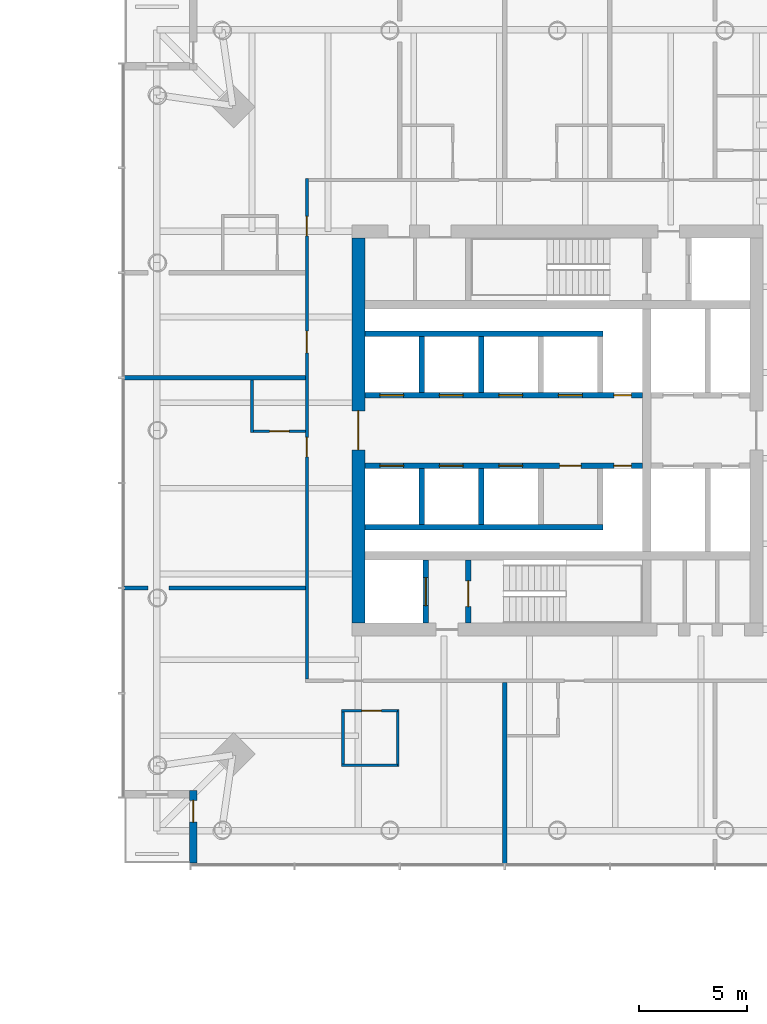
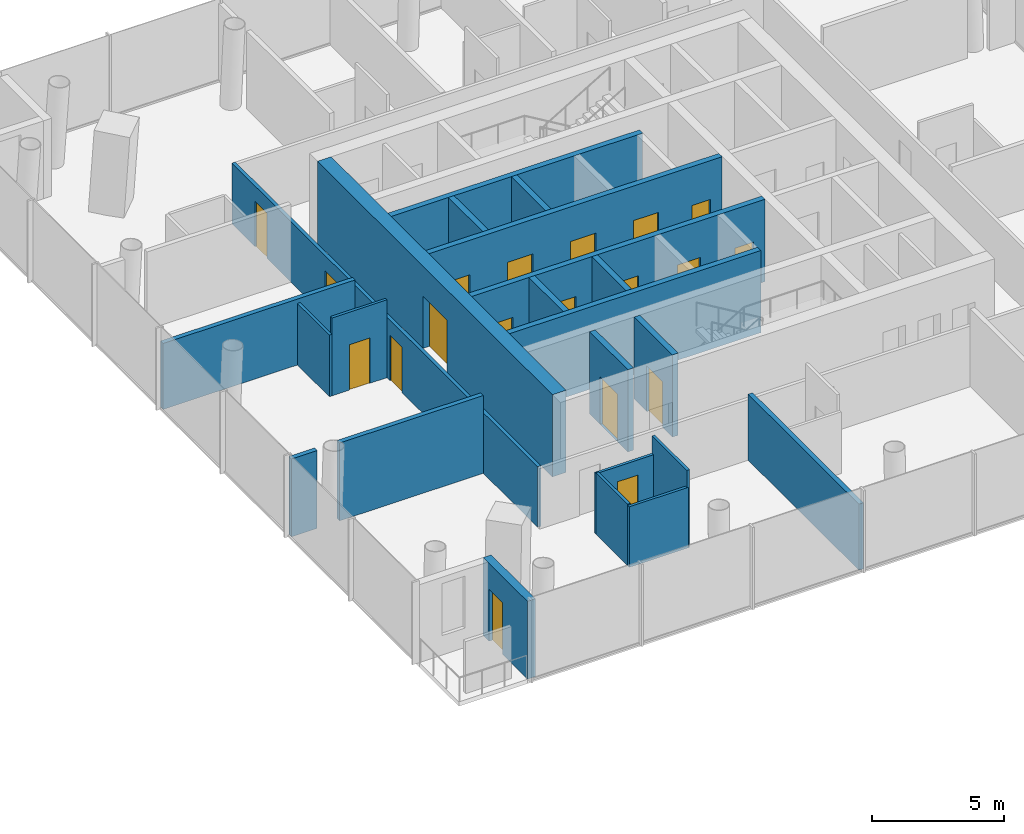
# One storey, part 14 of 21: 23 walls, 19 doors, 19 openings.
"""IFC4 building model written with IfcOpenShell, lengths in metres."""

import ifcopenshell
import ifcopenshell.guid

model = None  # the IFC model being written
_history = None  # IfcOwnerHistory: only IFC2X3 demands one
_inside = {}  # id of a spatial element -> (the spatial element, [elements in it])
_under = {}  # id of a project, library or spatial element -> (it, [spatial elements below it])
_declared = {}  # id of a project -> (the project, [libraries it declares])
_typed = {}  # id of a type object -> (the type object, [elements of that type])
_made_of = {}  # id of a material, layer set ... -> (it, [elements and type objects made of it])


def new_model(schema):
    """Start an empty IFC model of exactly this schema.

    Asked for "IFC4X3", IfcOpenShell would pick the latest addendum, in which some entities
    have other attributes; the version numbers below select the first issue.
    IFC2X3 requires an IfcOwnerHistory on every rooted entity: one is made here for all.
    """
    global model, _history
    if schema == "IFC4X3":
        model = ifcopenshell.file(schema_version=(4, 3, 0, 0))
    else:
        model = ifcopenshell.file(schema=schema)
    _inside.clear()
    _under.clear()
    _declared.clear()
    _typed.clear()
    _made_of.clear()
    _history = None
    if model.schema == "IFC2X3":
        org = make("IfcOrganization", Name="unknown")
        user = make(
            "IfcPersonAndOrganization",
            ThePerson=make("IfcPerson", FamilyName="unknown"),
            TheOrganization=org,
        )
        app = make(
            "IfcApplication",
            ApplicationDeveloper=org,
            Version="unknown",
            ApplicationFullName="unknown",
            ApplicationIdentifier="unknown",
        )
        _history = make(
            "IfcOwnerHistory",
            OwningUser=user,
            OwningApplication=app,
            ChangeAction="ADDED",
            CreationDate=0,
        )
    return model


def make(cls, **values):
    """One entity of the class cls with the attributes given. An attribute that is None is left unset."""
    return model.create_entity(
        cls, **{name: value for name, value in values.items() if value is not None}
    )


def rooted(cls, **values):
    """An entity with a GlobalId (a new one), such as an element, a storey or a relation."""
    return make(cls, GlobalId=ifcopenshell.guid.new(), OwnerHistory=_history, **values)


def si_unit(unit_type, name, prefix=None):
    """IfcSIUnit, for example si_unit("LENGTHUNIT", "METRE", prefix="MILLI")."""
    return make("IfcSIUnit", UnitType=unit_type, Prefix=prefix, Name=name)


def assignment(units):
    """IfcUnitAssignment: the units of a project."""
    return None if units is None else make("IfcUnitAssignment", Units=units)


def point(xyz):
    """IfcCartesianPoint."""
    return None if xyz is None else make("IfcCartesianPoint", Coordinates=xyz)


def direction(xyz):
    """IfcDirection."""
    return None if xyz is None else make("IfcDirection", DirectionRatios=xyz)


def frame(location, z_axis=None, x_axis=None):
    """IfcAxis2Placement3D, a coordinate frame: its origin and axes. An axis left out is left unset."""
    return make(
        "IfcAxis2Placement3D",
        Location=point(location),
        Axis=direction(z_axis),
        RefDirection=direction(x_axis),
    )


def frame_2d(location, x_axis=None):
    """IfcAxis2Placement2D, a coordinate frame in the plane: its origin and x axis."""
    return make(
        "IfcAxis2Placement2D", Location=point(location), RefDirection=direction(x_axis)
    )


def origin():
    """The frame at (0, 0, 0) with its axes left unset."""
    return frame((0.0, 0.0, 0.0))


def place(relative_to, where):
    """IfcLocalPlacement: puts the frame where relative to a parent placement (None: the world)."""
    return make(
        "IfcLocalPlacement", PlacementRelTo=relative_to, RelativePlacement=where
    )


def context(
    kind, dimensions, precision=None, world=None, true_north=None, identifier=None
):
    """IfcGeometricRepresentationContext, for example the 3D "Model" context."""
    return make(
        "IfcGeometricRepresentationContext",
        ContextIdentifier=identifier,
        ContextType=kind,
        CoordinateSpaceDimension=dimensions,
        Precision=precision,
        WorldCoordinateSystem=world,
        TrueNorth=true_north,
    )


def subcontext(parent, identifier, kind, view, scale=None):
    """IfcGeometricRepresentationSubContext, for example "Body" below "Model"."""
    return make(
        "IfcGeometricRepresentationSubContext",
        ContextIdentifier=identifier,
        ContextType=kind,
        ParentContext=parent,
        TargetScale=scale,
        TargetView=view,
    )


def project(units=None, contexts=None):
    """IfcProject with its units and contexts."""
    return rooted(
        "IfcProject",
        Name="project",
        RepresentationContexts=contexts,
        UnitsInContext=assignment(units),
    )


def spatial(cls, under=None, at=None, **own):
    """A site, building, storey or space (cls), placed at a placement, below another one or the project."""
    s = rooted(cls, ObjectPlacement=at, **own)
    if under is not None:
        _under.setdefault(under.id(), (under, []))[1].append(s)
    return s


def profile(cls, at=None, kind="AREA", **sizes):
    """A parametric profile (cls). Its sizes go by their IFC names, for example OverallWidth=200.0."""
    return make(cls, ProfileType=kind, Position=at, **sizes)


def rectangle(**sizes):
    """IfcRectangleProfileDef."""
    return profile("IfcRectangleProfileDef", **sizes)


def extrude(swept, where, along, depth):
    """IfcExtrudedAreaSolid: the profile swept, set in the frame where, extruded along a direction by depth."""
    return make(
        "IfcExtrudedAreaSolid",
        SweptArea=swept,
        Position=where,
        ExtrudedDirection=direction(along),
        Depth=depth,
    )


def shape(context_of_items, identifier, shape_type, items):
    """IfcShapeRepresentation: the items that make up one representation, for example the "Body"."""
    return make(
        "IfcShapeRepresentation",
        ContextOfItems=context_of_items,
        RepresentationIdentifier=identifier,
        RepresentationType=shape_type,
        Items=items,
    )


def material(Name=None, Category=None):
    """IfcMaterial."""
    return make("IfcMaterial", Name=Name, Category=Category)


def layer(
    of_material, thickness, ventilated=None, Name=None, Category=None, Priority=None
):
    """IfcMaterialLayer: one layer of a wall or slab, of a material (None: an air gap)."""
    return make(
        "IfcMaterialLayer",
        Material=of_material,
        LayerThickness=thickness,
        IsVentilated=ventilated,
        Name=Name,
        Category=Category,
        Priority=Priority,
    )


def layer_set(layers, Name=None):
    """IfcMaterialLayerSet."""
    return make("IfcMaterialLayerSet", MaterialLayers=layers, LayerSetName=Name)


def made_of(thing, what):
    """Note that an element or type object is made of a material, layer set ...; save() writes the relation."""
    if what is not None:
        _made_of.setdefault(what.id(), (what, []))[1].append(thing)
    return thing


def type_object(cls, material=None, **own):
    """A type object (cls), such as IfcWallType, which elements share."""
    return made_of(rooted(cls, **own), material)


def element(
    cls,
    number,
    at=None,
    inside=None,
    cuts=None,
    type_object=None,
    material=None,
    context=None,
    identifier="Body",
    shape_type=None,
    held_by="IfcProductDefinitionShape",
    body=None,
    shapes=None,
    **own,
):
    """One element of the class cls, such as IfcWall. Its Tag is "e" and its number.

    at: its placement. inside: the storey or other place that contains it. cuts: it is an
    opening in that element (IfcRelVoidsElement). A single representation is given by context,
    identifier, shape_type and body (its items); several are given by shapes. held_by: the class
    of the entity that holds the representations. save() writes the other relations.
    """
    e = rooted(cls, Tag="e%d" % number, ObjectPlacement=at, **own)
    if body is not None:
        shapes = [shape(context, identifier, shape_type, body)]
    if shapes is not None:
        e.Representation = make(held_by, Representations=shapes)
    if inside is not None:
        _inside.setdefault(inside.id(), (inside, []))[1].append(e)
    if cuts is not None:
        rooted(
            "IfcRelVoidsElement", RelatingBuildingElement=cuts, RelatedOpeningElement=e
        )
    if type_object is not None:
        _typed.setdefault(type_object.id(), (type_object, []))[1].append(e)
    return made_of(e, material)


def fill(opening, filler):
    """IfcRelFillsElement: the door or window that sits in an opening."""
    return rooted(
        "IfcRelFillsElement",
        RelatingOpeningElement=opening,
        RelatedBuildingElement=filler,
    )


def aggregate(whole, parts):
    """IfcRelAggregates: a whole, such as a stair, and the parts it consists of."""
    return rooted("IfcRelAggregates", RelatingObject=whole, RelatedObjects=parts)


def save(model, path):
    """Write the relations noted so far, then the file.

    IfcRelAggregates (storeys below a building ...), IfcRelContainedInSpatialStructure (elements
    in a storey), IfcRelDefinesByType, IfcRelAssociatesMaterial and IfcRelDeclares: one each for
    every whole, place, type object, material and project.
    """
    for whole, parts in _under.values():
        aggregate(whole, parts)
    for where, things in _inside.values():
        rooted(
            "IfcRelContainedInSpatialStructure",
            RelatedElements=things,
            RelatingStructure=where,
        )
    for kind, things in _typed.values():
        rooted("IfcRelDefinesByType", RelatedObjects=things, RelatingType=kind)
    for what, things in _made_of.values():
        rooted("IfcRelAssociatesMaterial", RelatedObjects=things, RelatingMaterial=what)
    for by, libraries in _declared.values():
        rooted("IfcRelDeclares", RelatingContext=by, RelatedDefinitions=libraries)
    model.write(path)


model = new_model("IFC4")

# Units and contexts
model_context = context("Model", 3, precision=1e-05, world=origin(), true_north=direction((0.0, 1.0)))
body_context = subcontext(model_context, "Body", "Model", "MODEL_VIEW")
ifc_project = project(units=[si_unit("LENGTHUNIT", "METRE"), si_unit("AREAUNIT", "SQUARE_METRE"), si_unit("VOLUMEUNIT", "CUBIC_METRE"), si_unit("PLANEANGLEUNIT", "RADIAN"), si_unit("MASSUNIT", "GRAM", prefix="KILO")], contexts=[model_context])

# Site, building, storey
site_placement = place(None, origin())
site = spatial("IfcSite", under=ifc_project, at=site_placement, CompositionType="ELEMENT")
building_placement = place(site_placement, origin())
building = spatial("IfcBuilding", under=site, at=building_placement, Name="Ostroluk Exchange", CompositionType="ELEMENT")
storey_placement = place(building_placement, frame((0.0, 0.0, 32.39990234375)))
storey = spatial("IfcBuildingStorey", under=building, at=storey_placement, Name="L07", CompositionType="ELEMENT", Elevation=32.39990234375)

# Wall, opening, door
ifc_material_1 = material(Name="Concrete C40/50", Category="concrete")
ifc_layer_1 = layer(ifc_material_1, 0.25)
ifc_layer_set_1 = layer_set([ifc_layer_1], Name="Core shaft wall 250")
wall_type_1 = type_object("IfcWallType", Name="Core shaft wall 250", PredefinedType="SHEAR", material=ifc_layer_set_1)
wall_1_placement = place(storey_placement, frame((110.925048828125, 37.10009765625, 0.0), z_axis=(0.0, 0.0, 1.0), x_axis=(0.0, 1.0, 0.0)))
wall_1 = element("IfcWall", 1, at=wall_1_placement, inside=storey, type_object=wall_type_1, Name="Firefighting lift shaft wall", PredefinedType="SHEAR", context=body_context, shape_type="SweptSolid", body=[
    extrude(rectangle(XDim=2.89990234375, YDim=0.25, at=frame_2d((1.449951171875, 0.0))), origin(), (0.0, 0.0, 1.0), 3.800048828125),
])
opening_1_placement = place(wall_1_placement, frame((0.800048828125, 0.0, 0.0)))
opening_1 = element("IfcOpeningElement", 2, at=opening_1_placement, cuts=wall_1, Name="Opening LD2", PredefinedType="OPENING", context=body_context, shape_type="SweptSolid", body=[
    extrude(rectangle(XDim=1.300048828125, YDim=2.199951171875, at=frame_2d((0.64990234375, 1.10009765625))), frame((0.0, 0.135009765625, 0.0), z_axis=(0.0, -1.0, 0.0), x_axis=(1.0, 0.0, 0.0)), (0.0, 0.0, 1.0), 0.27001953125),
])
ifc_material_2 = material(Name="Stainless steel", Category="steel")
door_type_1 = type_object("IfcDoorType", Name="Lift landing door E 60 1300 x 2200", OperationType="DOUBLE_DOOR_SLIDING", PredefinedType="DOOR", material=ifc_material_2)
door_1_placement = place(opening_1_placement, origin())
door_1 = element("IfcDoor", 3, at=door_1_placement, inside=storey, type_object=door_type_1, Name="Lift HF1 landing door", OperationType="DOUBLE_DOOR_SLIDING", OverallHeight=2.199951171875, OverallWidth=1.300048828125, PredefinedType="DOOR", context=body_context, shape_type="SweptSolid", body=[
    extrude(rectangle(XDim=1.300048828125, YDim=2.199951171875, at=frame_2d((0.64990234375, 1.10009765625))), frame((0.0, 0.02490234375, 0.0), z_axis=(0.0, -1.0, 0.0), x_axis=(1.0, 0.0, 0.0)), (0.0, 0.0, 1.0), 0.050048828125),
])
fill(opening_1, door_1)

wall_2_placement = place(storey_placement, frame((112.875, 37.10009765625, 0.0), z_axis=(0.0, 0.0, 1.0), x_axis=(0.0, 1.0, 0.0)))
wall_2 = element("IfcWall", 4, at=wall_2_placement, inside=storey, type_object=wall_type_1, Name="Stair shaft wall", PredefinedType="SHEAR", context=body_context, shape_type="SweptSolid", body=[
    extrude(rectangle(XDim=2.89990234375, YDim=0.25, at=frame_2d((1.449951171875, 0.0))), origin(), (0.0, 0.0, 1.0), 3.800048828125),
])
opening_2_placement = place(wall_2_placement, frame((0.75, 0.0, 0.0)))
opening_2 = element("IfcOpeningElement", 5, at=opening_2_placement, cuts=wall_2, Name="Opening FD60S", PredefinedType="OPENING", context=body_context, shape_type="SweptSolid", body=[
    extrude(rectangle(XDim=1.199951171875, YDim=2.10009765625, at=frame_2d((0.60009765625, 1.050048828125))), frame((0.0, 0.135009765625, 0.0), z_axis=(0.0, -1.0, 0.0), x_axis=(1.0, 0.0, 0.0)), (0.0, 0.0, 1.0), 0.27001953125),
])
ifc_material_3 = material(Name="Steel", Category="steel")
door_type_2 = type_object("IfcDoorType", Name="Stair door EI 60 1200 x 2100", OperationType="SINGLE_SWING_LEFT", PredefinedType="DOOR", material=ifc_material_3)
door_2_placement = place(opening_2_placement, origin())
door_2 = element("IfcDoor", 6, at=door_2_placement, inside=storey, type_object=door_type_2, Name="Stair T2-S1 door", OperationType="SINGLE_SWING_LEFT", OverallHeight=2.10009765625, OverallWidth=1.199951171875, PredefinedType="DOOR", context=body_context, shape_type="SweptSolid", body=[
    extrude(rectangle(XDim=1.199951171875, YDim=2.10009765625, at=frame_2d((0.60009765625, 1.050048828125))), frame((0.0, 0.02490234375, 0.0), z_axis=(0.0, -1.0, 0.0), x_axis=(1.0, 0.0, 0.0)), (0.0, 0.0, 1.0), 0.050048828125),
])
fill(opening_2, door_2)

# Walls
for number, where, z_axis, x_axis, name in (
    (7, (110.72509765625, 47.75, 0.0), (0.0, 0.0, 1.0), (0.0, 1.0, 0.0), "Lift shaft wall"),
    (8, (113.47509765625, 47.75, 0.0), (0.0, 0.0, 1.0), (0.0, 1.0, 0.0), "Lift shaft wall"),
):
    element("IfcWall", number, at=place(storey_placement, frame(where, z_axis=z_axis, x_axis=x_axis)), inside=storey, type_object=wall_type_1, Name=name, PredefinedType="SHEAR", context=body_context, shape_type="SweptSolid", body=[
        extrude(rectangle(XDim=2.60009765625, YDim=0.25, at=frame_2d((1.300048828125, 0.0))), origin(), (0.0, 0.0, 1.0), 3.800048828125),
    ])
wall_3_placement = place(storey_placement, frame((108.10009765625, 50.47509765625, 0.0), z_axis=(0.0, 0.0, 1.0), x_axis=(1.0, 0.0, 0.0)))
element("IfcWall", 9, at=wall_3_placement, inside=storey, type_object=wall_type_1, Name="Lift shaft wall", PredefinedType="SHEAR", context=body_context, shape_type="SweptSolid", body=[
    extrude(rectangle(XDim=11.0, YDim=0.25, at=frame_2d((5.5, 0.0))), origin(), (0.0, 0.0, 1.0), 3.800048828125),
])

# Wall, openings, doors
wall_4_placement = place(storey_placement, frame((108.10009765625, 47.625, 0.0), z_axis=(0.0, 0.0, 1.0), x_axis=(1.0, 0.0, 0.0)))
wall_4 = element("IfcWall", 10, at=wall_4_placement, inside=storey, type_object=wall_type_1, Name="Lift shaft front wall", PredefinedType="SHEAR", context=body_context, shape_type="SweptSolid", body=[
    extrude(rectangle(XDim=12.829833984375, YDim=0.25, at=frame_2d((6.4150390625, 0.0))), origin(), (0.0, 0.0, 1.0), 3.800048828125),
])
opening_3_placement = place(wall_4_placement, frame((0.699951171875, 0.0, 0.0)))
opening_3 = element("IfcOpeningElement", 11, at=opening_3_placement, cuts=wall_4, Name="Opening LD", PredefinedType="OPENING", context=body_context, shape_type="SweptSolid", body=[
    extrude(rectangle(XDim=1.10009765625, YDim=2.199951171875, at=frame_2d((0.550048828125, 1.10009765625))), frame((0.0, 0.135009765625, 0.0), z_axis=(0.0, -1.0, 0.0), x_axis=(1.0, 0.0, 0.0)), (0.0, 0.0, 1.0), 0.27001953125),
])
opening_4_placement = place(wall_4_placement, frame((3.449951171875, 0.0, 0.0)))
opening_4 = element("IfcOpeningElement", 12, at=opening_4_placement, cuts=wall_4, Name="Opening LD", PredefinedType="OPENING", context=body_context, shape_type="SweptSolid", body=[
    extrude(rectangle(XDim=1.10009765625, YDim=2.199951171875, at=frame_2d((0.550048828125, 1.10009765625))), frame((0.0, 0.135009765625, 0.0), z_axis=(0.0, -1.0, 0.0), x_axis=(1.0, 0.0, 0.0)), (0.0, 0.0, 1.0), 0.27001953125),
])
opening_5_placement = place(wall_4_placement, frame((6.199951171875, 0.0, 0.0)))
opening_5 = element("IfcOpeningElement", 13, at=opening_5_placement, cuts=wall_4, Name="Opening LD", PredefinedType="OPENING", context=body_context, shape_type="SweptSolid", body=[
    extrude(rectangle(XDim=1.10009765625, YDim=2.199951171875, at=frame_2d((0.550048828125, 1.10009765625))), frame((0.0, 0.135009765625, 0.0), z_axis=(0.0, -1.0, 0.0), x_axis=(1.0, 0.0, 0.0)), (0.0, 0.0, 1.0), 0.27001953125),
])
opening_6_placement = place(wall_4_placement, frame((8.949951171875, 0.0, 0.0)))
opening_6 = element("IfcOpeningElement", 14, at=opening_6_placement, cuts=wall_4, Name="Opening LD", PredefinedType="OPENING", context=body_context, shape_type="SweptSolid", body=[
    extrude(rectangle(XDim=1.10009765625, YDim=2.199951171875, at=frame_2d((0.550048828125, 1.10009765625))), frame((0.0, 0.135009765625, 0.0), z_axis=(0.0, -1.0, 0.0), x_axis=(1.0, 0.0, 0.0)), (0.0, 0.0, 1.0), 0.27001953125),
])
opening_7_placement = place(wall_4_placement, frame((11.514892578125, 0.0, 0.0)))
opening_7 = element("IfcOpeningElement", 15, at=opening_7_placement, cuts=wall_4, Name="Opening RD60", PredefinedType="OPENING", context=body_context, shape_type="SweptSolid", body=[
    extrude(rectangle(XDim=0.800048828125, YDim=2.0, at=frame_2d((0.39990234375, 1.0))), frame((0.0, 0.135009765625, 0.0), z_axis=(0.0, -1.0, 0.0), x_axis=(1.0, 0.0, 0.0)), (0.0, 0.0, 1.0), 0.27001953125),
])
ifc_material_4 = material(Name="Stainless steel", Category="steel")
door_type_3 = type_object("IfcDoorType", Name="Lift landing door E 60 1100 x 2200", OperationType="DOUBLE_DOOR_SLIDING", PredefinedType="DOOR", material=ifc_material_4)
door_3_placement = place(opening_3_placement, origin())
door_3 = element("IfcDoor", 16, at=door_3_placement, inside=storey, type_object=door_type_3, Name="Lift HL1 landing door", OperationType="DOUBLE_DOOR_SLIDING", OverallHeight=2.199951171875, OverallWidth=1.10009765625, PredefinedType="DOOR", context=body_context, shape_type="SweptSolid", body=[
    extrude(rectangle(XDim=1.10009765625, YDim=2.199951171875, at=frame_2d((0.550048828125, 1.10009765625))), frame((0.0, 0.02490234375, 0.0), z_axis=(0.0, -1.0, 0.0), x_axis=(1.0, 0.0, 0.0)), (0.0, 0.0, 1.0), 0.050048828125),
])
fill(opening_3, door_3)
door_4_placement = place(opening_4_placement, origin())
door_4 = element("IfcDoor", 17, at=door_4_placement, inside=storey, type_object=door_type_3, Name="Lift HL2 landing door", OperationType="DOUBLE_DOOR_SLIDING", OverallHeight=2.199951171875, OverallWidth=1.10009765625, PredefinedType="DOOR", context=body_context, shape_type="SweptSolid", body=[
    extrude(rectangle(XDim=1.10009765625, YDim=2.199951171875, at=frame_2d((0.550048828125, 1.10009765625))), frame((0.0, 0.02490234375, 0.0), z_axis=(0.0, -1.0, 0.0), x_axis=(1.0, 0.0, 0.0)), (0.0, 0.0, 1.0), 0.050048828125),
])
fill(opening_4, door_4)
door_5_placement = place(opening_5_placement, origin())
door_5 = element("IfcDoor", 18, at=door_5_placement, inside=storey, type_object=door_type_3, Name="Lift HL3 landing door", OperationType="DOUBLE_DOOR_SLIDING", OverallHeight=2.199951171875, OverallWidth=1.10009765625, PredefinedType="DOOR", context=body_context, shape_type="SweptSolid", body=[
    extrude(rectangle(XDim=1.10009765625, YDim=2.199951171875, at=frame_2d((0.550048828125, 1.10009765625))), frame((0.0, 0.02490234375, 0.0), z_axis=(0.0, -1.0, 0.0), x_axis=(1.0, 0.0, 0.0)), (0.0, 0.0, 1.0), 0.050048828125),
])
fill(opening_5, door_5)
door_6_placement = place(opening_6_placement, origin())
door_6 = element("IfcDoor", 19, at=door_6_placement, inside=storey, type_object=door_type_3, Name="Lift HL4 landing door", OperationType="DOUBLE_DOOR_SLIDING", OverallHeight=2.199951171875, OverallWidth=1.10009765625, PredefinedType="DOOR", context=body_context, shape_type="SweptSolid", body=[
    extrude(rectangle(XDim=1.10009765625, YDim=2.199951171875, at=frame_2d((0.550048828125, 1.10009765625))), frame((0.0, 0.02490234375, 0.0), z_axis=(0.0, -1.0, 0.0), x_axis=(1.0, 0.0, 0.0)), (0.0, 0.0, 1.0), 0.050048828125),
])
fill(opening_6, door_6)
ifc_material_5 = material(Name="Steel", Category="steel")
door_type_4 = type_object("IfcDoorType", Name="Riser access door EI 60 800 x 2000", OperationType="SINGLE_SWING_LEFT", PredefinedType="DOOR", material=ifc_material_5)
door_7_placement = place(opening_7_placement, origin())
door_7 = element("IfcDoor", 20, at=door_7_placement, inside=storey, type_object=door_type_4, Name="Riser access door", OperationType="SINGLE_SWING_RIGHT", OverallHeight=2.0, OverallWidth=0.800048828125, PredefinedType="DOOR", context=body_context, shape_type="SweptSolid", body=[
    extrude(rectangle(XDim=0.800048828125, YDim=2.0, at=frame_2d((0.39990234375, 1.0))), frame((0.0, 0.02490234375, 0.0), z_axis=(0.0, -1.0, 0.0), x_axis=(1.0, 0.0, 0.0)), (0.0, 0.0, 1.0), 0.050048828125),
])
fill(opening_7, door_7)

# Walls
for number, where, z_axis, x_axis, name in (
    (21, (110.72509765625, 44.25, 0.0), (0.0, 0.0, 1.0), (0.0, -1.0, 0.0), "Lift shaft wall"),
    (22, (113.47509765625, 44.25, 0.0), (0.0, 0.0, 1.0), (0.0, -1.0, 0.0), "Lift shaft wall"),
):
    element("IfcWall", number, at=place(storey_placement, frame(where, z_axis=z_axis, x_axis=x_axis)), inside=storey, type_object=wall_type_1, Name=name, PredefinedType="SHEAR", context=body_context, shape_type="SweptSolid", body=[
        extrude(rectangle(XDim=2.60009765625, YDim=0.25, at=frame_2d((1.300048828125, 0.0))), origin(), (0.0, 0.0, 1.0), 3.800048828125),
    ])
wall_5_placement = place(storey_placement, frame((108.10009765625, 41.52490234375, 0.0), z_axis=(0.0, 0.0, 1.0), x_axis=(1.0, 0.0, 0.0)))
element("IfcWall", 23, at=wall_5_placement, inside=storey, type_object=wall_type_1, Name="Lift shaft wall", PredefinedType="SHEAR", context=body_context, shape_type="SweptSolid", body=[
    extrude(rectangle(XDim=11.0, YDim=0.25, at=frame_2d((5.5, 0.0))), origin(), (0.0, 0.0, 1.0), 3.800048828125),
])

# Wall, openings, doors
wall_6_placement = place(storey_placement, frame((108.10009765625, 44.375, 0.0), z_axis=(0.0, 0.0, 1.0), x_axis=(1.0, 0.0, 0.0)))
wall_6 = element("IfcWall", 24, at=wall_6_placement, inside=storey, type_object=wall_type_1, Name="Lift shaft front wall", PredefinedType="SHEAR", context=body_context, shape_type="SweptSolid", body=[
    extrude(rectangle(XDim=12.829833984375, YDim=0.25, at=frame_2d((6.4150390625, 0.0))), origin(), (0.0, 0.0, 1.0), 3.800048828125),
])
opening_8_placement = place(wall_6_placement, frame((0.699951171875, 0.0, 0.0)))
opening_8 = element("IfcOpeningElement", 25, at=opening_8_placement, cuts=wall_6, Name="Opening LD", PredefinedType="OPENING", context=body_context, shape_type="SweptSolid", body=[
    extrude(rectangle(XDim=1.10009765625, YDim=2.199951171875, at=frame_2d((0.550048828125, 1.10009765625))), frame((0.0, 0.135009765625, 0.0), z_axis=(0.0, -1.0, 0.0), x_axis=(1.0, 0.0, 0.0)), (0.0, 0.0, 1.0), 0.27001953125),
])
opening_9_placement = place(wall_6_placement, frame((3.449951171875, 0.0, 0.0)))
opening_9 = element("IfcOpeningElement", 26, at=opening_9_placement, cuts=wall_6, Name="Opening LD", PredefinedType="OPENING", context=body_context, shape_type="SweptSolid", body=[
    extrude(rectangle(XDim=1.10009765625, YDim=2.199951171875, at=frame_2d((0.550048828125, 1.10009765625))), frame((0.0, 0.135009765625, 0.0), z_axis=(0.0, -1.0, 0.0), x_axis=(1.0, 0.0, 0.0)), (0.0, 0.0, 1.0), 0.27001953125),
])
opening_10_placement = place(wall_6_placement, frame((6.199951171875, 0.0, 0.0)))
opening_10 = element("IfcOpeningElement", 27, at=opening_10_placement, cuts=wall_6, Name="Opening LD", PredefinedType="OPENING", context=body_context, shape_type="SweptSolid", body=[
    extrude(rectangle(XDim=1.10009765625, YDim=2.199951171875, at=frame_2d((0.550048828125, 1.10009765625))), frame((0.0, 0.135009765625, 0.0), z_axis=(0.0, -1.0, 0.0), x_axis=(1.0, 0.0, 0.0)), (0.0, 0.0, 1.0), 0.27001953125),
])
opening_11_placement = place(wall_6_placement, frame((9.0, 0.0, 0.0)))
opening_11 = element("IfcOpeningElement", 28, at=opening_11_placement, cuts=wall_6, Name="Opening FD60", PredefinedType="OPENING", context=body_context, shape_type="SweptSolid", body=[
    extrude(rectangle(XDim=1.0, YDim=2.10009765625, at=frame_2d((0.5, 1.050048828125))), frame((0.0, 0.135009765625, 0.0), z_axis=(0.0, -1.0, 0.0), x_axis=(1.0, 0.0, 0.0)), (0.0, 0.0, 1.0), 0.27001953125),
])
opening_12_placement = place(wall_6_placement, frame((11.514892578125, 0.0, 0.0)))
opening_12 = element("IfcOpeningElement", 29, at=opening_12_placement, cuts=wall_6, Name="Opening RD60", PredefinedType="OPENING", context=body_context, shape_type="SweptSolid", body=[
    extrude(rectangle(XDim=0.800048828125, YDim=2.0, at=frame_2d((0.39990234375, 1.0))), frame((0.0, 0.135009765625, 0.0), z_axis=(0.0, -1.0, 0.0), x_axis=(1.0, 0.0, 0.0)), (0.0, 0.0, 1.0), 0.27001953125),
])
ifc_material_6 = material(Name="Steel", Category="steel")
door_type_5 = type_object("IfcDoorType", Name="Fire door EI 60 1000 x 2100", OperationType="SINGLE_SWING_LEFT", PredefinedType="DOOR", material=ifc_material_6)
door_8_placement = place(opening_11_placement, origin())
door_8 = element("IfcDoor", 30, at=door_8_placement, inside=storey, type_object=door_type_5, Name="Core room door", OperationType="SINGLE_SWING_RIGHT", OverallHeight=2.10009765625, OverallWidth=1.0, PredefinedType="DOOR", context=body_context, shape_type="SweptSolid", body=[
    extrude(rectangle(XDim=1.0, YDim=2.10009765625, at=frame_2d((0.5, 1.050048828125))), frame((0.0, 0.02490234375, 0.0), z_axis=(0.0, -1.0, 0.0), x_axis=(1.0, 0.0, 0.0)), (0.0, 0.0, 1.0), 0.050048828125),
])
fill(opening_11, door_8)
door_9_placement = place(opening_8_placement, origin())
door_9 = element("IfcDoor", 31, at=door_9_placement, inside=storey, type_object=door_type_3, Name="Lift HL5 landing door", OperationType="DOUBLE_DOOR_SLIDING", OverallHeight=2.199951171875, OverallWidth=1.10009765625, PredefinedType="DOOR", context=body_context, shape_type="SweptSolid", body=[
    extrude(rectangle(XDim=1.10009765625, YDim=2.199951171875, at=frame_2d((0.550048828125, 1.10009765625))), frame((0.0, 0.02490234375, 0.0), z_axis=(0.0, -1.0, 0.0), x_axis=(1.0, 0.0, 0.0)), (0.0, 0.0, 1.0), 0.050048828125),
])
fill(opening_8, door_9)
door_10_placement = place(opening_9_placement, origin())
door_10 = element("IfcDoor", 32, at=door_10_placement, inside=storey, type_object=door_type_3, Name="Lift HL6 landing door", OperationType="DOUBLE_DOOR_SLIDING", OverallHeight=2.199951171875, OverallWidth=1.10009765625, PredefinedType="DOOR", context=body_context, shape_type="SweptSolid", body=[
    extrude(rectangle(XDim=1.10009765625, YDim=2.199951171875, at=frame_2d((0.550048828125, 1.10009765625))), frame((0.0, 0.02490234375, 0.0), z_axis=(0.0, -1.0, 0.0), x_axis=(1.0, 0.0, 0.0)), (0.0, 0.0, 1.0), 0.050048828125),
])
fill(opening_9, door_10)
door_11_placement = place(opening_10_placement, origin())
door_11 = element("IfcDoor", 33, at=door_11_placement, inside=storey, type_object=door_type_3, Name="Lift HL7 landing door", OperationType="DOUBLE_DOOR_SLIDING", OverallHeight=2.199951171875, OverallWidth=1.10009765625, PredefinedType="DOOR", context=body_context, shape_type="SweptSolid", body=[
    extrude(rectangle(XDim=1.10009765625, YDim=2.199951171875, at=frame_2d((0.550048828125, 1.10009765625))), frame((0.0, 0.02490234375, 0.0), z_axis=(0.0, -1.0, 0.0), x_axis=(1.0, 0.0, 0.0)), (0.0, 0.0, 1.0), 0.050048828125),
])
fill(opening_10, door_11)
door_12_placement = place(opening_12_placement, origin())
door_12 = element("IfcDoor", 34, at=door_12_placement, inside=storey, type_object=door_type_4, Name="Riser access door", OperationType="SINGLE_SWING_RIGHT", OverallHeight=2.0, OverallWidth=0.800048828125, PredefinedType="DOOR", context=body_context, shape_type="SweptSolid", body=[
    extrude(rectangle(XDim=0.800048828125, YDim=2.0, at=frame_2d((0.39990234375, 1.0))), frame((0.0, 0.02490234375, 0.0), z_axis=(0.0, -1.0, 0.0), x_axis=(1.0, 0.0, 0.0)), (0.0, 0.0, 1.0), 0.050048828125),
])
fill(opening_12, door_12)

# Wall, opening, door
ifc_material_7 = material(Name="Concrete C50/60", Category="concrete")
ifc_layer_2 = layer(ifc_material_7, 0.60009765625)
ifc_layer_set_2 = layer_set([ifc_layer_2], Name="Core wall 600 C50/60")
wall_type_2 = type_object("IfcWallType", Name="Core wall 600 C50/60", PredefinedType="SHEAR", material=ifc_layer_set_2)
wall_7_placement = place(storey_placement, frame((107.800048828125, 37.10009765625, 0.0), z_axis=(0.0, 0.0, 1.0), x_axis=(0.0, 1.0, 0.0)))
wall_7 = element("IfcWall", 35, at=wall_7_placement, inside=storey, type_object=wall_type_2, Name="T2 core wall W", PredefinedType="SHEAR", context=body_context, shape_type="SweptSolid", body=[
    extrude(rectangle(XDim=17.7998046875, YDim=0.60009765625, at=frame_2d((8.89990234375, 0.0))), origin(), (0.0, 0.0, 1.0), 3.800048828125),
])
opening_13_placement = place(wall_7_placement, frame((8.0, 0.0, 0.0)))
opening_13 = element("IfcOpeningElement", 36, at=opening_13_placement, cuts=wall_7, Name="Opening FD30D", PredefinedType="OPENING", context=body_context, shape_type="SweptSolid", body=[
    extrude(rectangle(XDim=1.800048828125, YDim=2.39990234375, at=frame_2d((0.89990234375, 1.199951171875))), frame((0.0, 0.31005859375, 0.0), z_axis=(0.0, -1.0, 0.0), x_axis=(1.0, 0.0, 0.0)), (0.0, 0.0, 1.0), 0.6201171875),
])
ifc_material_8 = material(Name="Timber", Category="wood")
door_type_6 = type_object("IfcDoorType", Name="Lobby double door EI 30 1800 x 2400", OperationType="DOUBLE_DOOR_SINGLE_SWING", PredefinedType="DOOR", material=ifc_material_8)
door_13_placement = place(opening_13_placement, origin())
door_13 = element("IfcDoor", 37, at=door_13_placement, inside=storey, type_object=door_type_6, Name="Lift lobby doors", OperationType="DOUBLE_DOOR_SINGLE_SWING", OverallHeight=2.39990234375, OverallWidth=1.800048828125, PredefinedType="DOOR", context=body_context, shape_type="SweptSolid", body=[
    extrude(rectangle(XDim=1.800048828125, YDim=2.39990234375, at=frame_2d((0.89990234375, 1.199951171875))), frame((0.0, 0.02490234375, 0.0), z_axis=(0.0, -1.0, 0.0), x_axis=(1.0, 0.0, 0.0)), (0.0, 0.0, 1.0), 0.050048828125),
])
fill(opening_13, door_13)

ifc_material_9 = material(Name="Limestone", Category="masonry")
ifc_layer_3 = layer(ifc_material_9, 0.35009765625)
ifc_layer_set_3 = layer_set([ifc_layer_3], Name="Limestone facade wall 350")
wall_type_3 = type_object("IfcWallType", Name="Limestone facade wall 350", PredefinedType="SOLIDWALL", material=ifc_layer_set_3)
wall_8_placement = place(storey_placement, frame((100.175048828125, 26.0, 0.0), z_axis=(0.0, 0.0, 1.0), x_axis=(0.0, 1.0, 0.0)))
wall_8 = element("IfcWall", 38, at=wall_8_placement, inside=storey, type_object=wall_type_3, Name="Hotel tower SW corner wall L07 a", PredefinedType="SOLIDWALL", context=body_context, shape_type="SweptSolid", body=[
    extrude(rectangle(XDim=3.35009765625, YDim=0.35009765625, at=frame_2d((1.675048828125, 0.0))), origin(), (0.0, 0.0, 1.0), 3.60009765625),
])
opening_14_placement = place(wall_8_placement, frame((1.89990234375, 0.0, 0.0)))
opening_14 = element("IfcOpeningElement", 39, at=opening_14_placement, cuts=wall_8, Name="Opening D-B1", PredefinedType="OPENING", context=body_context, shape_type="SweptSolid", body=[
    extrude(rectangle(XDim=1.0, YDim=2.39990234375, at=frame_2d((0.5, 1.199951171875))), frame((0.0, 0.18505859375, 0.0), z_axis=(0.0, -1.0, 0.0), x_axis=(1.0, 0.0, 0.0)), (0.0, 0.0, 1.0), 0.3701171875),
])
ifc_material_10 = material(Name="Bronze framed glazed door", Category="aluminium")
door_type_7 = type_object("IfcDoorType", Name="Balcony door 1000 x 2400", OperationType="SINGLE_SWING_LEFT", PredefinedType="DOOR", material=ifc_material_10)
door_14_placement = place(opening_14_placement, origin())
door_14 = element("IfcDoor", 40, at=door_14_placement, inside=storey, type_object=door_type_7, Name="Hotel tower SW balcony door L07", OperationType="SINGLE_SWING_RIGHT", OverallHeight=2.39990234375, OverallWidth=1.0, PredefinedType="DOOR", context=body_context, shape_type="SweptSolid", body=[
    extrude(rectangle(XDim=1.0, YDim=2.39990234375, at=frame_2d((0.5, 1.199951171875))), frame((0.0, 0.02490234375, 0.0), z_axis=(0.0, -1.0, 0.0), x_axis=(1.0, 0.0, 0.0)), (0.0, 0.0, 1.0), 0.050048828125),
])
fill(opening_14, door_14)

# Wall
ifc_material_11 = material(Name="Gypsum plasterboard partition, moisture resistant", Category="gypsum")
ifc_layer_4 = layer(ifc_material_11, 0.1201171875)
ifc_layer_set_4 = layer_set([ifc_layer_4], Name="Plasterboard en-suite wall 120")
wall_type_4 = type_object("IfcWallType", Name="Plasterboard en-suite wall 120", PredefinedType="PARTITIONING", material=ifc_layer_set_4)
wall_9_placement = place(storey_placement, frame((102.889892578125, 48.32861328125, 0.0), z_axis=(0.0, 0.0, 1.0), x_axis=(0.0, -1.0, 0.0)))
element("IfcWall", 41, at=wall_9_placement, inside=storey, type_object=wall_type_4, Name="En-suite wall", PredefinedType="PARTITIONING", context=body_context, shape_type="SweptSolid", body=[
    extrude(rectangle(XDim=2.419921875, YDim=0.1201171875, at=frame_2d((1.2099609375, 0.0))), origin(), (0.0, 0.0, 1.0), 2.84716796875),
])

# Wall, opening, door
wall_10_placement = place(storey_placement, frame((105.35009765625, 45.968505859375, 0.0), z_axis=(0.0, 0.0, 1.0), x_axis=(-1.0, 0.0, 0.0)))
wall_10 = element("IfcWall", 42, at=wall_10_placement, inside=storey, type_object=wall_type_4, Name="En-suite wall", PredefinedType="PARTITIONING", context=body_context, shape_type="SweptSolid", body=[
    extrude(rectangle(XDim=2.400146484375, YDim=0.1201171875, at=frame_2d((1.2001953125, 0.0))), origin(), (0.0, 0.0, 1.0), 3.60009765625),
])
opening_15_placement = place(wall_10_placement, frame((0.75, 0.0, 0.0)))
opening_15 = element("IfcOpeningElement", 43, at=opening_15_placement, cuts=wall_10, Name="Opening D-02", PredefinedType="OPENING", context=body_context, shape_type="SweptSolid", body=[
    extrude(rectangle(XDim=0.89990234375, YDim=2.10009765625, at=frame_2d((0.449951171875, 1.050048828125))), frame((0.0, 0.070068359375, 0.0), z_axis=(0.0, -1.0, 0.0), x_axis=(1.0, 0.0, 0.0)), (0.0, 0.0, 1.0), 0.14013671875),
])
ifc_material_12 = material(Name="Timber", Category="wood")
door_type_8 = type_object("IfcDoorType", Name="En-suite door 900 x 2100", OperationType="SINGLE_SWING_LEFT", PredefinedType="DOOR", material=ifc_material_12)
door_15_placement = place(opening_15_placement, origin())
door_15 = element("IfcDoor", 44, at=door_15_placement, inside=storey, type_object=door_type_8, Name="En-suite door 708", OperationType="SINGLE_SWING_RIGHT", OverallHeight=2.10009765625, OverallWidth=0.89990234375, PredefinedType="DOOR", context=body_context, shape_type="SweptSolid", body=[
    extrude(rectangle(XDim=0.89990234375, YDim=2.10009765625, at=frame_2d((0.449951171875, 1.050048828125))), frame((0.0, 0.02490234375, 0.0), z_axis=(0.0, -1.0, 0.0), x_axis=(1.0, 0.0, 0.0)), (0.0, 0.0, 1.0), 0.050048828125),
])
fill(opening_15, door_15)

wall_11_placement = place(storey_placement, frame((109.6142578125, 33.050048828125, 0.0), z_axis=(0.0, 0.0, 1.0), x_axis=(-1.0, 0.0, 0.0)))
wall_11 = element("IfcWall", 45, at=wall_11_placement, inside=storey, type_object=wall_type_4, Name="En-suite wall", PredefinedType="PARTITIONING", context=body_context, shape_type="SweptSolid", body=[
    extrude(rectangle(XDim=2.580078125, YDim=0.1201171875, at=frame_2d((1.2900390625, 0.0))), origin(), (0.0, 0.0, 1.0), 2.800048828125),
])
opening_16_placement = place(wall_11_placement, frame((0.75, 0.0, 0.0)))
opening_16 = element("IfcOpeningElement", 46, at=opening_16_placement, cuts=wall_11, Name="Opening D-02", PredefinedType="OPENING", context=body_context, shape_type="SweptSolid", body=[
    extrude(rectangle(XDim=0.89990234375, YDim=2.10009765625, at=frame_2d((0.449951171875, 1.050048828125))), frame((0.0, 0.070068359375, 0.0), z_axis=(0.0, -1.0, 0.0), x_axis=(1.0, 0.0, 0.0)), (0.0, 0.0, 1.0), 0.14013671875),
])
door_16_placement = place(opening_16_placement, origin())
door_16 = element("IfcDoor", 47, at=door_16_placement, inside=storey, type_object=door_type_8, Name="En-suite door 709", OperationType="SINGLE_SWING_LEFT", OverallHeight=2.10009765625, OverallWidth=0.89990234375, PredefinedType="DOOR", context=body_context, shape_type="SweptSolid", body=[
    extrude(rectangle(XDim=0.89990234375, YDim=2.10009765625, at=frame_2d((0.449951171875, 1.050048828125))), frame((0.0, 0.02490234375, 0.0), z_axis=(0.0, -1.0, 0.0), x_axis=(1.0, 0.0, 0.0)), (0.0, 0.0, 1.0), 0.050048828125),
])
fill(opening_16, door_16)

# Walls
wall_12_placement = place(storey_placement, frame((109.6142578125, 30.530029296875, 0.0), z_axis=(0.0, 0.0, 1.0), x_axis=(-1.0, 0.0, 0.0)))
element("IfcWall", 48, at=wall_12_placement, inside=storey, type_object=wall_type_4, Name="En-suite wall", PredefinedType="PARTITIONING", context=body_context, shape_type="SweptSolid", body=[
    extrude(rectangle(XDim=2.580078125, YDim=0.1201171875, at=frame_2d((1.2900390625, 0.0))), origin(), (0.0, 0.0, 1.0), 2.800048828125),
])
wall_13_placement = place(storey_placement, frame((107.09423828125, 32.989990234375, 0.0), z_axis=(0.0, 0.0, 1.0), x_axis=(0.0, -1.0, 0.0)))
element("IfcWall", 49, at=wall_13_placement, inside=storey, type_object=wall_type_4, Name="En-suite wall", PredefinedType="PARTITIONING", context=body_context, shape_type="SweptSolid", body=[
    extrude(rectangle(XDim=2.39990234375, YDim=0.1201171875, at=frame_2d((1.199951171875, 0.0))), origin(), (0.0, 0.0, 1.0), 2.84716796875),
])
wall_14_placement = place(storey_placement, frame((109.6142578125, 33.110107421875, 0.0), z_axis=(0.0, 0.0, 1.0), x_axis=(0.0, -1.0, 0.0)))
element("IfcWall", 50, at=wall_14_placement, inside=storey, type_object=wall_type_4, Name="En-suite wall", PredefinedType="PARTITIONING", context=body_context, shape_type="SweptSolid", body=[
    extrude(rectangle(XDim=2.64013671875, YDim=0.1201171875, at=frame_2d((1.320068359375, 0.0))), origin(), (0.0, 0.0, 1.0), 3.60009765625),
])

# Wall, openings, doors
ifc_material_13 = material(Name="Gypsum plasterboard partition", Category="gypsum")
ifc_layer_5 = layer(ifc_material_13, 0.14990234375)
ifc_layer_set_5 = layer_set([ifc_layer_5], Name="Plasterboard partition 150")
wall_type_5 = type_object("IfcWallType", Name="Plasterboard partition 150", PredefinedType="PARTITIONING", material=ifc_layer_set_5)
wall_15_placement = place(storey_placement, frame((105.425048828125, 57.64990234375, 0.0), z_axis=(0.0, 0.0, 1.0), x_axis=(0.0, -1.0, 0.0)))
wall_15 = element("IfcWall", 51, at=wall_15_placement, inside=storey, type_object=wall_type_5, Name="Corridor wall", PredefinedType="PARTITIONING", context=body_context, shape_type="SweptSolid", body=[
    extrude(rectangle(XDim=23.14990234375, YDim=0.14990234375, at=frame_2d((11.574951171875, 0.0))), origin(), (0.0, 0.0, 1.0), 2.800048828125),
])
opening_17_placement = place(wall_15_placement, frame((1.757080078125, 0.0, 0.0)))
opening_17 = element("IfcOpeningElement", 52, at=opening_17_placement, cuts=wall_15, Name="Opening D-01", PredefinedType="OPENING", context=body_context, shape_type="SweptSolid", body=[
    extrude(rectangle(XDim=0.89990234375, YDim=2.10009765625, at=frame_2d((0.449951171875, 1.050048828125))), frame((0.0, 0.0849609375, 0.0), z_axis=(0.0, -1.0, 0.0), x_axis=(1.0, 0.0, 0.0)), (0.0, 0.0, 1.0), 0.169921875),
])
opening_18_placement = place(wall_15_placement, frame((7.064208984375, 0.0, 0.0)))
opening_18 = element("IfcOpeningElement", 53, at=opening_18_placement, cuts=wall_15, Name="Opening D-03", PredefinedType="OPENING", context=body_context, shape_type="SweptSolid", body=[
    extrude(rectangle(XDim=1.0, YDim=2.10009765625, at=frame_2d((0.5, 1.050048828125))), frame((0.0, 0.0849609375, 0.0), z_axis=(0.0, -1.0, 0.0), x_axis=(1.0, 0.0, 0.0)), (0.0, 0.0, 1.0), 0.169921875),
])
opening_19_placement = place(wall_15_placement, frame((11.971435546875, 0.0, 0.0)))
opening_19 = element("IfcOpeningElement", 54, at=opening_19_placement, cuts=wall_15, Name="Opening D-01", PredefinedType="OPENING", context=body_context, shape_type="SweptSolid", body=[
    extrude(rectangle(XDim=0.89990234375, YDim=2.10009765625, at=frame_2d((0.449951171875, 1.050048828125))), frame((0.0, 0.0849609375, 0.0), z_axis=(0.0, -1.0, 0.0), x_axis=(1.0, 0.0, 0.0)), (0.0, 0.0, 1.0), 0.169921875),
])
ifc_material_14 = material(Name="Timber", Category="wood")
door_type_9 = type_object("IfcDoorType", Name="Hotel room door EI 30 Sa 900 x 2100", OperationType="SINGLE_SWING_LEFT", PredefinedType="DOOR", material=ifc_material_14)
door_17_placement = place(opening_17_placement, origin())
door_17 = element("IfcDoor", 55, at=door_17_placement, inside=storey, type_object=door_type_9, Name="Room door 707", OperationType="SINGLE_SWING_LEFT", OverallHeight=2.10009765625, OverallWidth=0.89990234375, PredefinedType="DOOR", context=body_context, shape_type="SweptSolid", body=[
    extrude(rectangle(XDim=0.89990234375, YDim=2.10009765625, at=frame_2d((0.449951171875, 1.050048828125))), frame((0.0, 0.02490234375, 0.0), z_axis=(0.0, -1.0, 0.0), x_axis=(1.0, 0.0, 0.0)), (0.0, 0.0, 1.0), 0.050048828125),
])
fill(opening_17, door_17)
door_18_placement = place(opening_19_placement, origin())
door_18 = element("IfcDoor", 56, at=door_18_placement, inside=storey, type_object=door_type_9, Name="Room door 708", OperationType="SINGLE_SWING_RIGHT", OverallHeight=2.10009765625, OverallWidth=0.89990234375, PredefinedType="DOOR", context=body_context, shape_type="SweptSolid", body=[
    extrude(rectangle(XDim=0.89990234375, YDim=2.10009765625, at=frame_2d((0.449951171875, 1.050048828125))), frame((0.0, 0.02490234375, 0.0), z_axis=(0.0, -1.0, 0.0), x_axis=(1.0, 0.0, 0.0)), (0.0, 0.0, 1.0), 0.050048828125),
])
fill(opening_19, door_18)
ifc_material_15 = material(Name="Timber", Category="wood")
door_type_10 = type_object("IfcDoorType", Name="Internal door 1000 x 2100", OperationType="SINGLE_SWING_LEFT", PredefinedType="DOOR", material=ifc_material_15)
door_19_placement = place(opening_18_placement, origin())
door_19 = element("IfcDoor", 57, at=door_19_placement, inside=storey, type_object=door_type_10, Name="Housekeeping store door", OperationType="SINGLE_SWING_LEFT", OverallHeight=2.10009765625, OverallWidth=1.0, PredefinedType="DOOR", context=body_context, shape_type="SweptSolid", body=[
    extrude(rectangle(XDim=1.0, YDim=2.10009765625, at=frame_2d((0.5, 1.050048828125))), frame((0.0, 0.02490234375, 0.0), z_axis=(0.0, -1.0, 0.0), x_axis=(1.0, 0.0, 0.0)), (0.0, 0.0, 1.0), 0.050048828125),
])
fill(opening_18, door_19)

# Walls
ifc_material_16 = material(Name="Gypsum plasterboard partition", Category="gypsum")
ifc_layer_6 = layer(ifc_material_16, 0.199951171875)
ifc_layer_set_6 = layer_set([ifc_layer_6], Name="Plasterboard party wall 200")
wall_type_6 = type_object("IfcWallType", Name="Plasterboard party wall 200", PredefinedType="PARTITIONING", material=ifc_layer_set_6)
wall_16_placement = place(storey_placement, frame((105.35009765625, 48.428466796875, 0.0), z_axis=(0.0, 0.0, 1.0), x_axis=(-1.0, 0.0, 0.0)))
element("IfcWall", 58, at=wall_16_placement, inside=storey, type_object=wall_type_6, Name="Party wall", PredefinedType="PARTITIONING", context=body_context, shape_type="SweptSolid", body=[
    extrude(rectangle(XDim=8.39013671875, YDim=0.199951171875, at=frame_2d((4.195068359375, 0.0))), origin(), (0.0, 0.0, 1.0), 3.050048828125),
])
wall_17_placement = place(storey_placement, frame((105.35009765625, 38.71435546875, 0.0), z_axis=(0.0, 0.0, 1.0), x_axis=(-1.0, 0.0, 0.0)))
element("IfcWall", 59, at=wall_17_placement, inside=storey, type_object=wall_type_6, Name="Party wall", PredefinedType="PARTITIONING", context=body_context, shape_type="SweptSolid", body=[
    extrude(rectangle(XDim=6.288330078125, YDim=0.199951171875, at=frame_2d((3.14404296875, 0.0))), origin(), (0.0, 0.0, 1.0), 3.60009765625),
])
wall_18_placement = place(storey_placement, frame((98.0849609375, 38.71435546875, 0.0), z_axis=(0.0, 0.0, 1.0), x_axis=(-1.0, 0.0, 0.0)))
element("IfcWall", 60, at=wall_18_placement, inside=storey, type_object=wall_type_6, Name="Party wall", PredefinedType="PARTITIONING", context=body_context, shape_type="SweptSolid", body=[
    extrude(rectangle(XDim=1.125, YDim=0.199951171875, at=frame_2d((0.5625, 0.0))), origin(), (0.0, 0.0, 1.0), 3.60009765625),
])
wall_19_placement = place(storey_placement, frame((114.571533203125, 34.35009765625, 0.0), z_axis=(0.0, 0.0, 1.0), x_axis=(0.0, -1.0, 0.0)))
element("IfcWall", 61, at=wall_19_placement, inside=storey, type_object=wall_type_6, Name="Party wall", PredefinedType="PARTITIONING", context=body_context, shape_type="SweptSolid", body=[
    extrude(rectangle(XDim=8.39013671875, YDim=0.199951171875, at=frame_2d((4.195068359375, 0.0))), origin(), (0.0, 0.0, 1.0), 3.050048828125),
])

save(model, "model.ifc")
